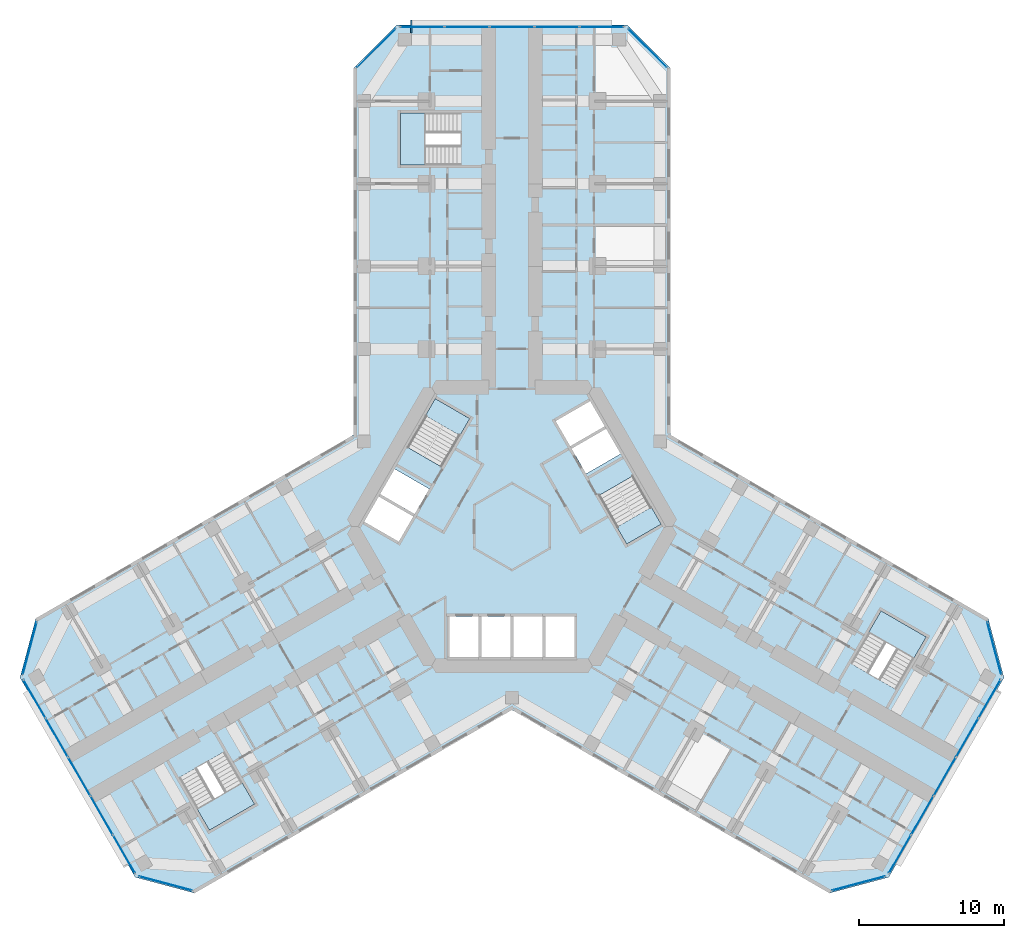
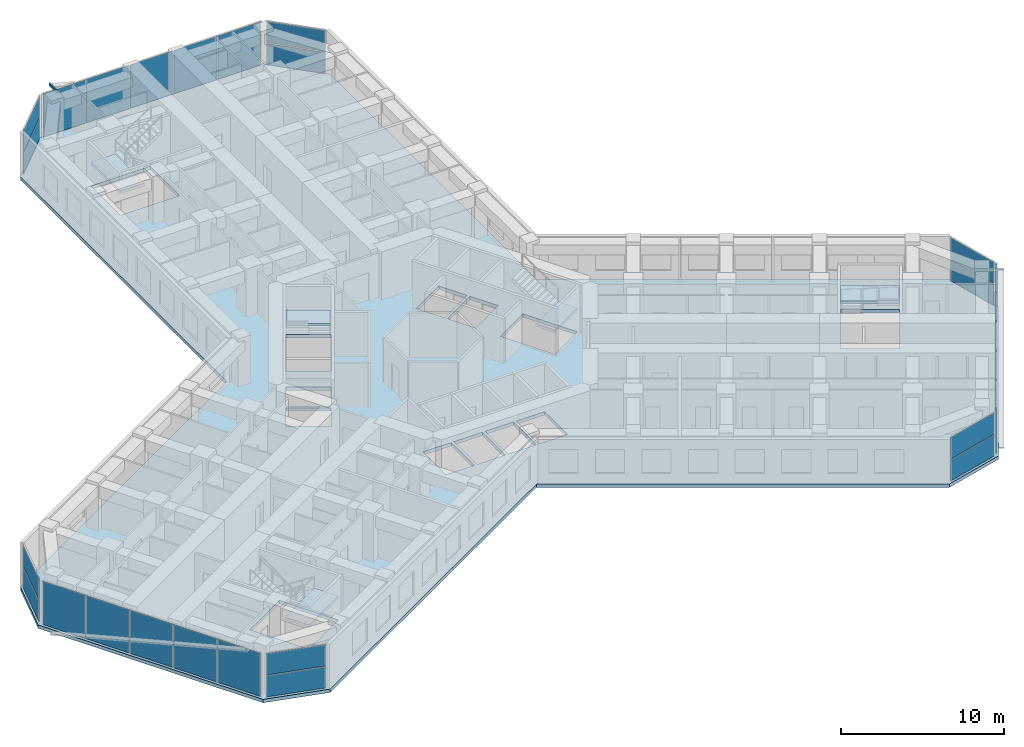
# One storey, part 9 of 21: 27 plates, 6 slabs, 1 member, 14 elements without a shape of their own.
"""IFC4 building model written with IfcOpenShell, lengths in metres."""

from ifc_helpers import new_model, si_unit, direction, frame, origin, origin_2d, place, context, subcontext, project, spatial, polyline, rectangle, hollow_rectangle, outline, extrude, material, layer, layer_set, material_profile, profile_set, type_object, element, aggregate, save


model = new_model("IFC4")

# Units and contexts
model_context = context("Model", 3, precision=1e-05, world=origin(), true_north=direction((0.0, 1.0)))
body_context = subcontext(model_context, "Body", "Model", "MODEL_VIEW")
ifc_project = project(units=[si_unit("LENGTHUNIT", "METRE"), si_unit("AREAUNIT", "SQUARE_METRE"), si_unit("VOLUMEUNIT", "CUBIC_METRE"), si_unit("PLANEANGLEUNIT", "RADIAN"), si_unit("MASSUNIT", "GRAM", prefix="KILO")], contexts=[model_context])

# Site, building, storey
site_placement = place(None, origin())
site = spatial("IfcSite", under=ifc_project, at=site_placement, CompositionType="ELEMENT")
building_placement = place(site_placement, origin())
building = spatial("IfcBuilding", under=site, at=building_placement, Name="Kosmar Iwan School Tower", CompositionType="ELEMENT")
storey_placement = place(building_placement, frame((0.0, 0.0, 84.39990234375)))
storey = spatial("IfcBuildingStorey", under=building, at=storey_placement, Name="L20", CompositionType="ELEMENT", Elevation=84.39990234375)

# Member
ifc_material_1 = material(Name="Steel S355", Category="steel")
ifc_material_profile = material_profile(ifc_material_1, hollow_rectangle(XDim=0.10009765625, YDim=0.199951171875, WallThickness=0.008056640625, at=origin_2d()), Name="RHS 200x100x8")
ifc_profile_set = profile_set([ifc_material_profile], Name="Steel S355")
member_type = type_object("IfcMemberType", Name="Fin bracket RHS 200x100", PredefinedType="USERDEFINED", material=ifc_profile_set)
member_placement = place(storey_placement, frame((-6.949951171875, 34.050048828125, 3.47509765625), z_axis=(0.0, 1.0, 0.0), x_axis=(-1.0, 0.0, 0.0)))
element("IfcMember", 1, at=member_placement, inside=storey, type_object=member_type, Name="Fin bracket L21", ObjectType="FIN BRACKET", PredefinedType="USERDEFINED", context=body_context, shape_type="SweptSolid", body=[
    extrude(hollow_rectangle(XDim=0.10009765625, YDim=0.199951171875, WallThickness=0.008056640625, at=origin_2d()), origin(), (0.0, 0.0, 1.0), 0.89990234375),
])

# Curtain wall, plates
ifc_material_2 = material(Name="Dark glass in black aluminium frame", Category="aluminium")
curtain_wall_type_1 = type_object("IfcCurtainWallType", Name="Chamfer curtain wall dark glass", PredefinedType="USERDEFINED", material=ifc_material_2)
curtain_wall_1_placement = place(storey_placement, origin())
curtain_wall_1 = element("IfcCurtainWall", 2, at=curtain_wall_1_placement, inside=storey, type_object=curtain_wall_type_1, Name="Curtain wall L20-F02", ObjectType="FACETED CURTAIN WALL", PredefinedType="USERDEFINED")
ifc_material_3 = material(Name="Dark glass", Category="glass")
ifc_layer_1 = layer(ifc_material_3, 0.028076171875)
ifc_layer_set_1 = layer_set([ifc_layer_1], Name="Dark glass panel 28")
plate_type = type_object("IfcPlateType", Name="Dark glass panel 28", PredefinedType="CURTAIN_PANEL", material=ifc_layer_set_1)
plate_1_placement = place(storey_placement, frame((23.908203125, -24.61328125, 0.06005859375), z_axis=(0.0, 0.0, 1.0), x_axis=(0.965925875495, 0.258818861462, 0.0)))
plate_1 = element("IfcPlate", 3, at=plate_1_placement, type_object=plate_type, Name="CW2 panel 1.1", PredefinedType="CURTAIN_PANEL", context=body_context, shape_type="SweptSolid", body=[
    extrude(rectangle(XDim=3.718994140625, YDim=0.028076171875, at=origin_2d()), origin(), (0.0, 0.0, 1.0), 1.5849609375),
])
plate_2_placement = place(storey_placement, frame((23.908203125, -24.61328125, 1.705078125), z_axis=(0.0, 0.0, 1.0), x_axis=(0.965925875495, 0.258818861462, 0.0)))
plate_2 = element("IfcPlate", 4, at=plate_2_placement, type_object=plate_type, Name="CW2 panel 1.2", PredefinedType="CURTAIN_PANEL", context=body_context, shape_type="SweptSolid", body=[
    extrude(rectangle(XDim=3.718994140625, YDim=0.028076171875, at=origin_2d()), origin(), (0.0, 0.0, 1.0), 1.5849609375),
])
aggregate(curtain_wall_1, [plate_1, plate_2])

ifc_material_4 = material(Name="Dark glass in black aluminium frame", Category="aluminium")
curtain_wall_type_2 = type_object("IfcCurtainWallType", Name="Tower curtain wall dark glass", PredefinedType="USERDEFINED", material=ifc_material_4)
curtain_wall_2_placement = place(storey_placement, origin())
curtain_wall_2 = element("IfcCurtainWall", 5, at=curtain_wall_2_placement, inside=storey, type_object=curtain_wall_type_2, Name="Curtain wall L20-F03", ObjectType="UNITISED CURTAIN WALL", PredefinedType="USERDEFINED")
plate_3_placement = place(storey_placement, frame((26.764404296875, -22.592529296875, 0.06005859375), z_axis=(0.0, 0.0, 1.0), x_axis=(0.499999997325, 0.866025405329, 0.0)))
plate_3 = element("IfcPlate", 6, at=plate_3_placement, type_object=plate_type, Name="CW1 panel 1.1", PredefinedType="CURTAIN_PANEL", context=body_context, shape_type="SweptSolid", body=[
    extrude(rectangle(XDim=3.00927734375, YDim=0.028076171875, at=origin_2d()), origin(), (0.0, 0.0, 1.0), 3.22998046875),
])
plate_4_placement = place(storey_placement, frame((28.306640625, -19.921630859375, 0.06005859375), z_axis=(0.0, 0.0, 1.0), x_axis=(0.499999997325, 0.866025405329, 0.0)))
plate_4 = element("IfcPlate", 7, at=plate_4_placement, type_object=plate_type, Name="CW1 panel 2.1", PredefinedType="CURTAIN_PANEL", context=body_context, shape_type="SweptSolid", body=[
    extrude(rectangle(XDim=3.039306640625, YDim=0.028076171875, at=origin_2d()), origin(), (0.0, 0.0, 1.0), 3.22998046875),
])
plate_5_placement = place(storey_placement, frame((29.856201171875, -17.237548828125, 0.06005859375), z_axis=(0.0, 0.0, 1.0), x_axis=(0.499999997325, 0.866025405329, 0.0)))
plate_5 = element("IfcPlate", 8, at=plate_5_placement, type_object=plate_type, Name="CW1 panel 3.1", PredefinedType="CURTAIN_PANEL", context=body_context, shape_type="SweptSolid", body=[
    extrude(rectangle(XDim=3.039306640625, YDim=0.028076171875, at=origin_2d()), origin(), (0.0, 0.0, 1.0), 3.22998046875),
])
plate_6_placement = place(storey_placement, frame((31.40576171875, -14.553466796875, 0.06005859375), z_axis=(0.0, 0.0, 1.0), x_axis=(0.499999997325, 0.866025405329, 0.0)))
plate_6 = element("IfcPlate", 9, at=plate_6_placement, type_object=plate_type, Name="CW1 panel 4.1", PredefinedType="CURTAIN_PANEL", context=body_context, shape_type="SweptSolid", body=[
    extrude(rectangle(XDim=3.039306640625, YDim=0.028076171875, at=origin_2d()), origin(), (0.0, 0.0, 1.0), 3.22998046875),
])
plate_7_placement = place(storey_placement, frame((32.947998046875, -11.88232421875, 0.06005859375), z_axis=(0.0, 0.0, 1.0), x_axis=(0.499999997325, 0.866025405329, 0.0)))
plate_7 = element("IfcPlate", 10, at=plate_7_placement, type_object=plate_type, Name="CW1 panel 5.1", PredefinedType="CURTAIN_PANEL", context=body_context, shape_type="SweptSolid", body=[
    extrude(rectangle(XDim=3.00927734375, YDim=0.028076171875, at=origin_2d()), origin(), (0.0, 0.0, 1.0), 3.22998046875),
])
aggregate(curtain_wall_2, [plate_3, plate_4, plate_5, plate_6, plate_7])

curtain_wall_3_placement = place(storey_placement, origin())
curtain_wall_3 = element("IfcCurtainWall", 11, at=curtain_wall_3_placement, inside=storey, type_object=curtain_wall_type_1, Name="Curtain wall L20-F04", ObjectType="FACETED CURTAIN WALL", PredefinedType="USERDEFINED")
plate_8_placement = place(storey_placement, frame((33.269775390625, -8.3984375, 0.06005859375), z_axis=(0.0, 0.0, 1.0), x_axis=(-0.258818861462, 0.965925875495, 0.0)))
plate_8 = element("IfcPlate", 12, at=plate_8_placement, type_object=plate_type, Name="CW2 panel 1.1", PredefinedType="CURTAIN_PANEL", context=body_context, shape_type="SweptSolid", body=[
    extrude(rectangle(XDim=3.718994140625, YDim=0.028076171875, at=origin_2d()), origin(), (0.0, 0.0, 1.0), 1.5849609375),
])
plate_9_placement = place(storey_placement, frame((33.269775390625, -8.3984375, 1.705078125), z_axis=(0.0, 0.0, 1.0), x_axis=(-0.258818861462, 0.965925875495, 0.0)))
plate_9 = element("IfcPlate", 13, at=plate_9_placement, type_object=plate_type, Name="CW2 panel 1.2", PredefinedType="CURTAIN_PANEL", context=body_context, shape_type="SweptSolid", body=[
    extrude(rectangle(XDim=3.718994140625, YDim=0.028076171875, at=origin_2d()), origin(), (0.0, 0.0, 1.0), 1.5849609375),
])
aggregate(curtain_wall_3, [plate_8, plate_9])

curtain_wall_4_placement = place(storey_placement, origin())
curtain_wall_4 = element("IfcCurtainWall", 14, at=curtain_wall_4_placement, inside=storey, type_object=curtain_wall_type_1, Name="Curtain wall L20-F07", ObjectType="FACETED CURTAIN WALL", PredefinedType="USERDEFINED")
plate_10_placement = place(storey_placement, frame((9.361572265625, 33.01171875, 0.06005859375), z_axis=(0.0, 0.0, 1.0), x_axis=(-0.707106781187, 0.707106781187, 0.0)))
plate_10 = element("IfcPlate", 15, at=plate_10_placement, type_object=plate_type, Name="CW2 panel 1.1", PredefinedType="CURTAIN_PANEL", context=body_context, shape_type="SweptSolid", body=[
    extrude(rectangle(XDim=3.718994140625, YDim=0.028076171875, at=origin_2d()), origin(), (0.0, 0.0, 1.0), 1.5849609375),
])
plate_11_placement = place(storey_placement, frame((9.361572265625, 33.01171875, 1.705078125), z_axis=(0.0, 0.0, 1.0), x_axis=(-0.707106781187, 0.707106781187, 0.0)))
plate_11 = element("IfcPlate", 16, at=plate_11_placement, type_object=plate_type, Name="CW2 panel 1.2", PredefinedType="CURTAIN_PANEL", context=body_context, shape_type="SweptSolid", body=[
    extrude(rectangle(XDim=3.718994140625, YDim=0.028076171875, at=origin_2d()), origin(), (0.0, 0.0, 1.0), 1.5849609375),
])
aggregate(curtain_wall_4, [plate_10, plate_11])

curtain_wall_5_placement = place(storey_placement, origin())
curtain_wall_5 = element("IfcCurtainWall", 17, at=curtain_wall_5_placement, inside=storey, type_object=curtain_wall_type_2, Name="Curtain wall L20-F08", ObjectType="UNITISED CURTAIN WALL", PredefinedType="USERDEFINED")
plate_12_placement = place(storey_placement, frame((6.18359375, 34.47509765625, 0.06005859375), z_axis=(0.0, 0.0, 1.0), x_axis=(-1.0, 0.0, 0.0)))
plate_12 = element("IfcPlate", 18, at=plate_12_placement, type_object=plate_type, Name="CW1 panel 1.1", PredefinedType="CURTAIN_PANEL", context=body_context, shape_type="SweptSolid", body=[
    extrude(rectangle(XDim=3.00927734375, YDim=0.028076171875, at=origin_2d()), origin(), (0.0, 0.0, 1.0), 3.22998046875),
])
plate_13_placement = place(storey_placement, frame((3.099365234375, 34.47509765625, 0.06005859375), z_axis=(0.0, 0.0, 1.0), x_axis=(-1.0, 0.0, 0.0)))
plate_13 = element("IfcPlate", 19, at=plate_13_placement, type_object=plate_type, Name="CW1 panel 2.1", PredefinedType="CURTAIN_PANEL", context=body_context, shape_type="SweptSolid", body=[
    extrude(rectangle(XDim=3.039306640625, YDim=0.028076171875, at=origin_2d()), origin(), (0.0, 0.0, 1.0), 3.22998046875),
])
plate_14_placement = place(storey_placement, frame((0.0, 34.47509765625, 0.06005859375), z_axis=(0.0, 0.0, 1.0), x_axis=(-1.0, 0.0, 0.0)))
plate_14 = element("IfcPlate", 20, at=plate_14_placement, type_object=plate_type, Name="CW1 panel 3.1", PredefinedType="CURTAIN_PANEL", context=body_context, shape_type="SweptSolid", body=[
    extrude(rectangle(XDim=3.039306640625, YDim=0.028076171875, at=origin_2d()), origin(), (0.0, 0.0, 1.0), 3.22998046875),
])
plate_15_placement = place(storey_placement, frame((-3.099365234375, 34.47509765625, 0.06005859375), z_axis=(0.0, 0.0, 1.0), x_axis=(-1.0, 0.0, 0.0)))
plate_15 = element("IfcPlate", 21, at=plate_15_placement, type_object=plate_type, Name="CW1 panel 4.1", PredefinedType="CURTAIN_PANEL", context=body_context, shape_type="SweptSolid", body=[
    extrude(rectangle(XDim=3.039306640625, YDim=0.028076171875, at=origin_2d()), origin(), (0.0, 0.0, 1.0), 3.22998046875),
])
plate_16_placement = place(storey_placement, frame((-6.18359375, 34.47509765625, 0.06005859375), z_axis=(0.0, 0.0, 1.0), x_axis=(-1.0, 0.0, 0.0)))
plate_16 = element("IfcPlate", 22, at=plate_16_placement, type_object=plate_type, Name="CW1 panel 5.1", PredefinedType="CURTAIN_PANEL", context=body_context, shape_type="SweptSolid", body=[
    extrude(rectangle(XDim=3.00927734375, YDim=0.028076171875, at=origin_2d()), origin(), (0.0, 0.0, 1.0), 3.22998046875),
])
aggregate(curtain_wall_5, [plate_12, plate_13, plate_14, plate_15, plate_16])

curtain_wall_6_placement = place(storey_placement, origin())
curtain_wall_6 = element("IfcCurtainWall", 23, at=curtain_wall_6_placement, inside=storey, type_object=curtain_wall_type_1, Name="Curtain wall L20-F09", ObjectType="FACETED CURTAIN WALL", PredefinedType="USERDEFINED")
plate_17_placement = place(storey_placement, frame((-9.361572265625, 33.01171875, 0.06005859375), z_axis=(0.0, 0.0, 1.0), x_axis=(-0.707106781187, -0.707106781187, 0.0)))
plate_17 = element("IfcPlate", 24, at=plate_17_placement, type_object=plate_type, Name="CW2 panel 1.1", PredefinedType="CURTAIN_PANEL", context=body_context, shape_type="SweptSolid", body=[
    extrude(rectangle(XDim=3.718994140625, YDim=0.028076171875, at=origin_2d()), origin(), (0.0, 0.0, 1.0), 1.5849609375),
])
plate_18_placement = place(storey_placement, frame((-9.361572265625, 33.01171875, 1.705078125), z_axis=(0.0, 0.0, 1.0), x_axis=(-0.707106781187, -0.707106781187, 0.0)))
plate_18 = element("IfcPlate", 25, at=plate_18_placement, type_object=plate_type, Name="CW2 panel 1.2", PredefinedType="CURTAIN_PANEL", context=body_context, shape_type="SweptSolid", body=[
    extrude(rectangle(XDim=3.718994140625, YDim=0.028076171875, at=origin_2d()), origin(), (0.0, 0.0, 1.0), 1.5849609375),
])
aggregate(curtain_wall_6, [plate_17, plate_18])

curtain_wall_7_placement = place(storey_placement, origin())
curtain_wall_7 = element("IfcCurtainWall", 26, at=curtain_wall_7_placement, inside=storey, type_object=curtain_wall_type_1, Name="Curtain wall L20-F12", ObjectType="FACETED CURTAIN WALL", PredefinedType="USERDEFINED")
plate_19_placement = place(storey_placement, frame((-33.269775390625, -8.3984375, 0.06005859375), z_axis=(0.0, 0.0, 1.0), x_axis=(-0.258818861462, -0.965925875495, 0.0)))
plate_19 = element("IfcPlate", 27, at=plate_19_placement, type_object=plate_type, Name="CW2 panel 1.1", PredefinedType="CURTAIN_PANEL", context=body_context, shape_type="SweptSolid", body=[
    extrude(rectangle(XDim=3.718994140625, YDim=0.028076171875, at=origin_2d()), origin(), (0.0, 0.0, 1.0), 1.5849609375),
])
plate_20_placement = place(storey_placement, frame((-33.269775390625, -8.3984375, 1.705078125), z_axis=(0.0, 0.0, 1.0), x_axis=(-0.258818861462, -0.965925875495, 0.0)))
plate_20 = element("IfcPlate", 28, at=plate_20_placement, type_object=plate_type, Name="CW2 panel 1.2", PredefinedType="CURTAIN_PANEL", context=body_context, shape_type="SweptSolid", body=[
    extrude(rectangle(XDim=3.718994140625, YDim=0.028076171875, at=origin_2d()), origin(), (0.0, 0.0, 1.0), 1.5849609375),
])
aggregate(curtain_wall_7, [plate_19, plate_20])

curtain_wall_8_placement = place(storey_placement, origin())
curtain_wall_8 = element("IfcCurtainWall", 29, at=curtain_wall_8_placement, inside=storey, type_object=curtain_wall_type_2, Name="Curtain wall L20-F13", ObjectType="UNITISED CURTAIN WALL", PredefinedType="USERDEFINED")
plate_21_placement = place(storey_placement, frame((-32.947998046875, -11.88232421875, 0.06005859375), z_axis=(0.0, 0.0, 1.0), x_axis=(0.499999997325, -0.866025405329, 0.0)))
plate_21 = element("IfcPlate", 30, at=plate_21_placement, type_object=plate_type, Name="CW1 panel 1.1", PredefinedType="CURTAIN_PANEL", context=body_context, shape_type="SweptSolid", body=[
    extrude(rectangle(XDim=3.00927734375, YDim=0.028076171875, at=origin_2d()), origin(), (0.0, 0.0, 1.0), 3.22998046875),
])
plate_22_placement = place(storey_placement, frame((-31.40576171875, -14.553466796875, 0.06005859375), z_axis=(0.0, 0.0, 1.0), x_axis=(0.499999997325, -0.866025405329, 0.0)))
plate_22 = element("IfcPlate", 31, at=plate_22_placement, type_object=plate_type, Name="CW1 panel 2.1", PredefinedType="CURTAIN_PANEL", context=body_context, shape_type="SweptSolid", body=[
    extrude(rectangle(XDim=3.039306640625, YDim=0.028076171875, at=origin_2d()), origin(), (0.0, 0.0, 1.0), 3.22998046875),
])
plate_23_placement = place(storey_placement, frame((-29.856201171875, -17.237548828125, 0.06005859375), z_axis=(0.0, 0.0, 1.0), x_axis=(0.499999997325, -0.866025405329, 0.0)))
plate_23 = element("IfcPlate", 32, at=plate_23_placement, type_object=plate_type, Name="CW1 panel 3.1", PredefinedType="CURTAIN_PANEL", context=body_context, shape_type="SweptSolid", body=[
    extrude(rectangle(XDim=3.039306640625, YDim=0.028076171875, at=origin_2d()), origin(), (0.0, 0.0, 1.0), 3.22998046875),
])
plate_24_placement = place(storey_placement, frame((-28.306640625, -19.921630859375, 0.06005859375), z_axis=(0.0, 0.0, 1.0), x_axis=(0.499999997325, -0.866025405329, 0.0)))
plate_24 = element("IfcPlate", 33, at=plate_24_placement, type_object=plate_type, Name="CW1 panel 4.1", PredefinedType="CURTAIN_PANEL", context=body_context, shape_type="SweptSolid", body=[
    extrude(rectangle(XDim=3.039306640625, YDim=0.028076171875, at=origin_2d()), origin(), (0.0, 0.0, 1.0), 3.22998046875),
])
plate_25_placement = place(storey_placement, frame((-26.764404296875, -22.592529296875, 0.06005859375), z_axis=(0.0, 0.0, 1.0), x_axis=(0.499999997325, -0.866025405329, 0.0)))
plate_25 = element("IfcPlate", 34, at=plate_25_placement, type_object=plate_type, Name="CW1 panel 5.1", PredefinedType="CURTAIN_PANEL", context=body_context, shape_type="SweptSolid", body=[
    extrude(rectangle(XDim=3.00927734375, YDim=0.028076171875, at=origin_2d()), origin(), (0.0, 0.0, 1.0), 3.22998046875),
])
aggregate(curtain_wall_8, [plate_21, plate_22, plate_23, plate_24, plate_25])

curtain_wall_9_placement = place(storey_placement, origin())
curtain_wall_9 = element("IfcCurtainWall", 35, at=curtain_wall_9_placement, inside=storey, type_object=curtain_wall_type_1, Name="Curtain wall L20-F14", ObjectType="FACETED CURTAIN WALL", PredefinedType="USERDEFINED")
plate_26_placement = place(storey_placement, frame((-23.908203125, -24.61328125, 0.06005859375), z_axis=(0.0, 0.0, 1.0), x_axis=(0.965925875495, -0.258818861462, 0.0)))
plate_26 = element("IfcPlate", 36, at=plate_26_placement, type_object=plate_type, Name="CW2 panel 1.1", PredefinedType="CURTAIN_PANEL", context=body_context, shape_type="SweptSolid", body=[
    extrude(rectangle(XDim=3.718994140625, YDim=0.028076171875, at=origin_2d()), origin(), (0.0, 0.0, 1.0), 1.5849609375),
])
plate_27_placement = place(storey_placement, frame((-23.908203125, -24.61328125, 1.705078125), z_axis=(0.0, 0.0, 1.0), x_axis=(0.965925875495, -0.258818861462, 0.0)))
plate_27 = element("IfcPlate", 37, at=plate_27_placement, type_object=plate_type, Name="CW2 panel 1.2", PredefinedType="CURTAIN_PANEL", context=body_context, shape_type="SweptSolid", body=[
    extrude(rectangle(XDim=3.718994140625, YDim=0.028076171875, at=origin_2d()), origin(), (0.0, 0.0, 1.0), 1.5849609375),
])
aggregate(curtain_wall_9, [plate_26, plate_27])

# Stair, slab
ifc_material_5 = material(Name="Concrete C35/45", Category="concrete")
stair_type_1 = type_object("IfcStairType", Name="Escape stair 3600", PredefinedType="HALF_TURN_STAIR", material=ifc_material_5)
stair_1_placement = place(storey_placement, origin())
stair_1 = element("IfcStair", 38, at=stair_1_placement, inside=storey, type_object=stair_type_1, Name="Stair WS1 L20", PredefinedType="HALF_TURN_STAIR")
ifc_material_6 = material(Name="Concrete C35/45", Category="concrete")
ifc_layer_2 = layer(ifc_material_6, 0.199951171875)
ifc_layer_set_2 = layer_set([ifc_layer_2], Name="Escape stair landing 200")
slab_type_1 = type_object("IfcSlabType", Name="Escape stair landing 200", PredefinedType="LANDING", material=ifc_layer_set_2)
slab_1_placement = place(storey_placement, frame((0.0, 0.0, 1.60009765625)))
slab_1 = element("IfcSlab", 39, at=slab_1_placement, type_object=slab_type_1, Name="WS1 landing 1", PredefinedType="LANDING", context=body_context, shape_type="SweptSolid", body=[
    extrude(outline(polyline([(-6.0, 24.949951171875), (-6.0, 28.550048828125), (-7.699951171875, 28.550048828125), (-7.699951171875, 24.949951171875), (-6.0, 24.949951171875)])), origin(), (0.0, 0.0, 1.0), 0.199951171875),
])
aggregate(stair_1, [slab_1])

stair_2_placement = place(storey_placement, origin())
stair_2 = element("IfcStair", 40, at=stair_2_placement, inside=storey, type_object=stair_type_1, Name="Stair WS2 L20", PredefinedType="HALF_TURN_STAIR")
slab_2_placement = place(storey_placement, frame((0.0, 0.0, 1.60009765625)))
slab_2 = element("IfcSlab", 41, at=slab_2_placement, type_object=slab_type_1, Name="WS2 landing 1", PredefinedType="LANDING", context=body_context, shape_type="SweptSolid", body=[
    extrude(outline(polyline([(-18.607421875, -17.671142578125), (-21.72509765625, -19.47119140625), (-20.875, -20.943359375), (-17.75732421875, -19.143310546875), (-18.607421875, -17.671142578125)])), origin(), (0.0, 0.0, 1.0), 0.199951171875),
])
aggregate(stair_2, [slab_2])

stair_3_placement = place(storey_placement, origin())
stair_3 = element("IfcStair", 42, at=stair_3_placement, inside=storey, type_object=stair_type_1, Name="Stair WS3 L20", PredefinedType="HALF_TURN_STAIR")
slab_3_placement = place(storey_placement, frame((0.0, 0.0, 1.60009765625)))
slab_3 = element("IfcSlab", 43, at=slab_3_placement, type_object=slab_type_1, Name="WS3 landing 1", PredefinedType="LANDING", context=body_context, shape_type="SweptSolid", body=[
    extrude(outline(polyline([(24.607421875, -7.27880859375), (27.72509765625, -9.078857421875), (28.574951171875, -7.606689453125), (25.457275390625, -5.806640625), (24.607421875, -7.27880859375)])), origin(), (0.0, 0.0, 1.0), 0.199951171875),
])
aggregate(stair_3, [slab_3])

# Slab
ifc_material_7 = material(Name="Concrete C35/45", Category="concrete")
ifc_layer_3 = layer(ifc_material_7, 0.25)
ifc_layer_set_3 = layer_set([ifc_layer_3], Name="Floor slab 250")
slab_type_2 = type_object("IfcSlabType", Name="Floor slab 250", PredefinedType="FLOOR", material=ifc_layer_set_3)
slab_4_placement = place(storey_placement, frame((0.0, 0.0, -0.25)))
element("IfcSlab", 44, at=slab_4_placement, inside=storey, type_object=slab_type_2, Name="L20 floor slab", PredefinedType="FLOOR", context=body_context, shape_type="SweptSolid", body=[
    extrude(outline(polyline([(-21.891357421875, -25.282958984375), (0.0, -12.64404296875), (21.891357421875, -25.282958984375), (25.989501953125, -24.184814453125), (33.939453125, -10.4150390625), (32.84130859375, -6.317138671875), (10.949951171875, 6.322021484375), (10.949951171875, 31.60009765625), (7.949951171875, 34.60009765625), (-7.949951171875, 34.60009765625), (-10.949951171875, 31.60009765625), (-10.949951171875, 6.322021484375), (-32.84130859375, -6.317138671875), (-33.939453125, -10.4150390625), (-25.989501953125, -24.184814453125), (-21.891357421875, -25.282958984375)]), holes=[polyline([(7.91259765625, -1.205078125), (10.294189453125, 0.169921875), (8.3642578125, 3.5126953125), (5.982666015625, 2.1376953125), (7.91259765625, -1.205078125)]), polyline([(-2.91259765625, 7.455078125), (-5.294189453125, 8.830078125), (-7.22412109375, 5.4873046875), (-4.8427734375, 4.1123046875), (-2.91259765625, 7.455078125)]), polyline([(-5.712646484375, 2.60546875), (-8.09423828125, 3.98046875), (-9.09423828125, 2.248291015625), (-6.712646484375, 0.873291015625), (-5.712646484375, 2.60546875)]), polyline([(-6.812744140625, 0.7001953125), (-9.1943359375, 2.0751953125), (-10.1943359375, 0.343017578125), (-7.812744140625, -1.031982421875), (-6.812744140625, 0.7001953125)]), polyline([(5.112548828125, 3.64453125), (7.494140625, 5.01953125), (6.494140625, 6.751708984375), (4.112548828125, 5.376708984375), (5.112548828125, 3.64453125)]), polyline([(4.0126953125, 5.5498046875), (6.394287109375, 6.9248046875), (5.394287109375, 8.656982421875), (3.0126953125, 7.281982421875), (4.0126953125, 5.5498046875)]), polyline([(-4.300048828125, -6.199951171875), (-4.300048828125, -9.0), (-2.300048828125, -9.0), (-2.300048828125, -6.199951171875), (-4.300048828125, -6.199951171875)]), polyline([(-2.10009765625, -6.199951171875), (-2.10009765625, -9.0), (-0.10009765625, -9.0), (-0.10009765625, -6.199951171875), (-2.10009765625, -6.199951171875)]), polyline([(0.10009765625, -6.199951171875), (0.10009765625, -9.0), (2.10009765625, -9.0), (2.10009765625, -6.199951171875), (0.10009765625, -6.199951171875)]), polyline([(2.300048828125, -6.199951171875), (2.300048828125, -9.0), (4.300048828125, -9.0), (4.300048828125, -6.199951171875), (2.300048828125, -6.199951171875)]), polyline([(-3.52001953125, 24.949951171875), (-3.52001953125, 28.550048828125), (-7.699951171875, 28.550048828125), (-7.699951171875, 24.949951171875), (-3.52001953125, 24.949951171875)]), polyline([(-19.847412109375, -15.5234375), (-22.965087890625, -17.323486328125), (-20.875, -20.943359375), (-17.75732421875, -19.143310546875), (-19.847412109375, -15.5234375)]), polyline([(23.367431640625, -9.426513671875), (26.485107421875, -11.2265625), (28.574951171875, -7.606689453125), (25.457275390625, -5.806640625), (23.367431640625, -9.426513671875)])]), origin(), (0.0, 0.0, 1.0), 0.25),
])

# Stair, slab
ifc_material_8 = material(Name="Concrete C35/45", Category="concrete")
stair_type_2 = type_object("IfcStairType", Name="Core stair 2750", PredefinedType="HALF_TURN_STAIR", material=ifc_material_8)
stair_4_placement = place(storey_placement, origin())
stair_4 = element("IfcStair", 45, at=stair_4_placement, inside=storey, type_object=stair_type_2, Name="Stair ST2 L20", PredefinedType="HALF_TURN_STAIR")
ifc_material_9 = material(Name="Concrete C35/45", Category="concrete")
ifc_layer_4 = layer(ifc_material_9, 0.199951171875)
ifc_layer_set_4 = layer_set([ifc_layer_4], Name="Stair landing 200")
slab_type_3 = type_object("IfcSlabType", Name="Stair landing 200", PredefinedType="LANDING", material=ifc_layer_set_4)
slab_5_placement = place(storey_placement, frame((0.0, 0.0, 1.60009765625)))
slab_5 = element("IfcSlab", 46, at=slab_5_placement, type_object=slab_type_3, Name="ST2 landing 1", PredefinedType="LANDING", context=body_context, shape_type="SweptSolid", body=[
    extrude(outline(polyline([(-2.91259765625, 7.455078125), (-5.294189453125, 8.830078125), (-5.97412109375, 7.65234375), (-3.5927734375, 6.27734375), (-2.91259765625, 7.455078125)])), origin(), (0.0, 0.0, 1.0), 0.199951171875),
])
aggregate(stair_4, [slab_5])

stair_5_placement = place(storey_placement, origin())
stair_5 = element("IfcStair", 47, at=stair_5_placement, inside=storey, type_object=stair_type_2, Name="Stair ST1 L20", PredefinedType="HALF_TURN_STAIR")
slab_6_placement = place(storey_placement, frame((0.0, 0.0, 1.60009765625)))
slab_6 = element("IfcSlab", 48, at=slab_6_placement, type_object=slab_type_3, Name="ST1 landing 1", PredefinedType="LANDING", context=body_context, shape_type="SweptSolid", body=[
    extrude(outline(polyline([(7.91259765625, -1.205078125), (10.294189453125, 0.169921875), (9.6142578125, 1.34765625), (7.232666015625, -0.02734375), (7.91259765625, -1.205078125)])), origin(), (0.0, 0.0, 1.0), 0.199951171875),
])
aggregate(stair_5, [slab_6])

save(model, "model.ifc")
